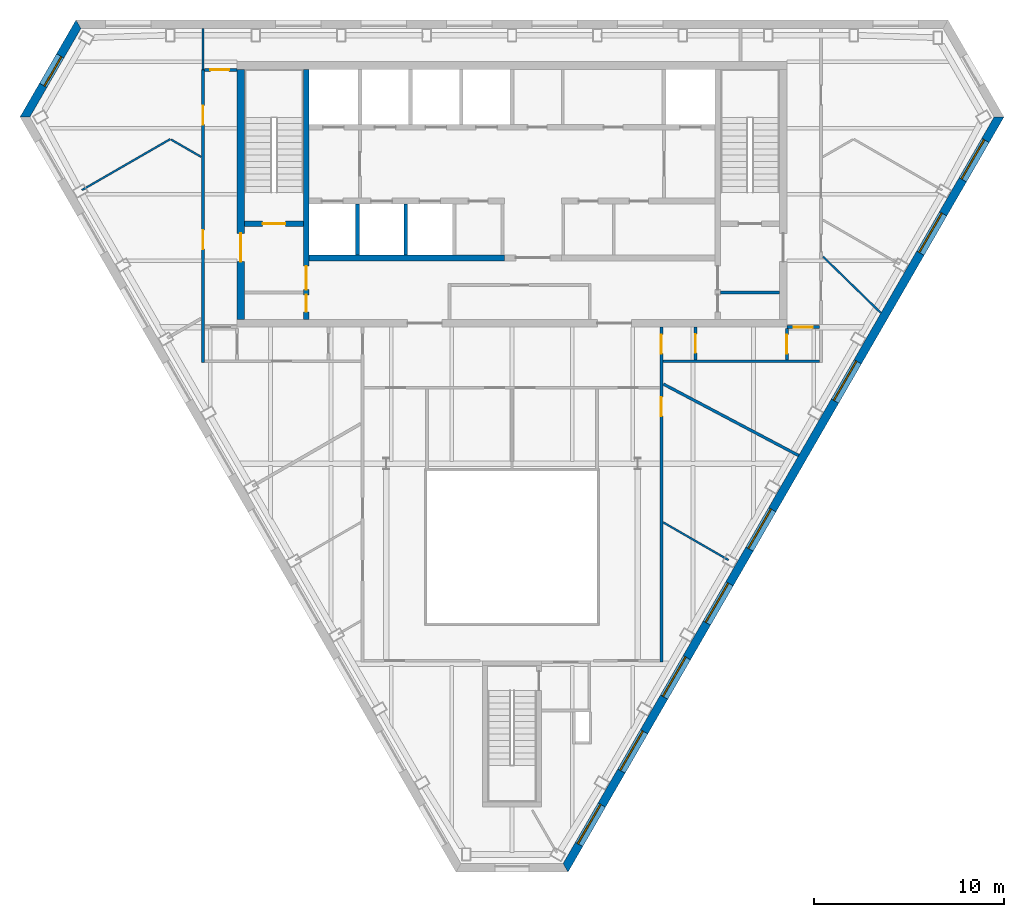
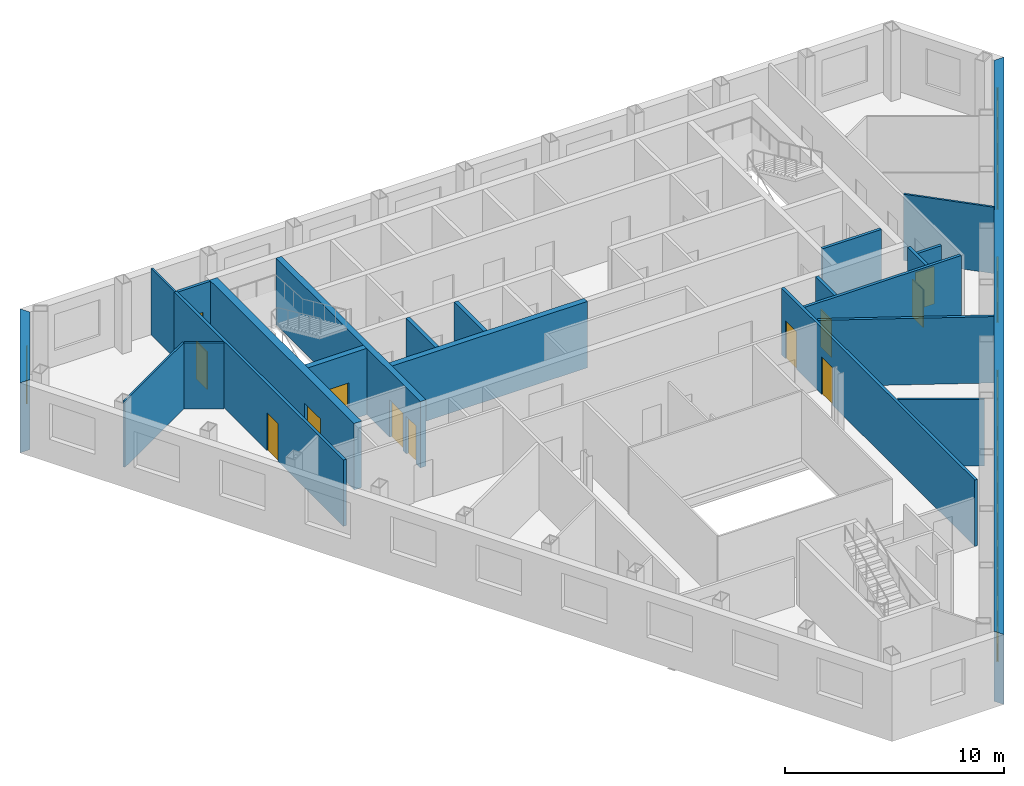
# One storey, part 5 of 10: 22 walls, 12 doors, 9 windows, 21 openings.
"""IFC4 building model written with IfcOpenShell, lengths in metres."""

import ifcopenshell
import ifcopenshell.guid

model = None  # the IFC model being written
_history = None  # IfcOwnerHistory: only IFC2X3 demands one
_inside = {}  # id of a spatial element -> (the spatial element, [elements in it])
_under = {}  # id of a project, library or spatial element -> (it, [spatial elements below it])
_declared = {}  # id of a project -> (the project, [libraries it declares])
_typed = {}  # id of a type object -> (the type object, [elements of that type])
_made_of = {}  # id of a material, layer set ... -> (it, [elements and type objects made of it])


def new_model(schema):
    """Start an empty IFC model of exactly this schema.

    Asked for "IFC4X3", IfcOpenShell would pick the latest addendum, in which some entities
    have other attributes; the version numbers below select the first issue.
    IFC2X3 requires an IfcOwnerHistory on every rooted entity: one is made here for all.
    """
    global model, _history
    if schema == "IFC4X3":
        model = ifcopenshell.file(schema_version=(4, 3, 0, 0))
    else:
        model = ifcopenshell.file(schema=schema)
    _inside.clear()
    _under.clear()
    _declared.clear()
    _typed.clear()
    _made_of.clear()
    _history = None
    if model.schema == "IFC2X3":
        org = make("IfcOrganization", Name="unknown")
        user = make(
            "IfcPersonAndOrganization",
            ThePerson=make("IfcPerson", FamilyName="unknown"),
            TheOrganization=org,
        )
        app = make(
            "IfcApplication",
            ApplicationDeveloper=org,
            Version="unknown",
            ApplicationFullName="unknown",
            ApplicationIdentifier="unknown",
        )
        _history = make(
            "IfcOwnerHistory",
            OwningUser=user,
            OwningApplication=app,
            ChangeAction="ADDED",
            CreationDate=0,
        )
    return model


def make(cls, **values):
    """One entity of the class cls with the attributes given. An attribute that is None is left unset."""
    return model.create_entity(
        cls, **{name: value for name, value in values.items() if value is not None}
    )


def rooted(cls, **values):
    """An entity with a GlobalId (a new one), such as an element, a storey or a relation."""
    return make(cls, GlobalId=ifcopenshell.guid.new(), OwnerHistory=_history, **values)


def si_unit(unit_type, name, prefix=None):
    """IfcSIUnit, for example si_unit("LENGTHUNIT", "METRE", prefix="MILLI")."""
    return make("IfcSIUnit", UnitType=unit_type, Prefix=prefix, Name=name)


def assignment(units):
    """IfcUnitAssignment: the units of a project."""
    return None if units is None else make("IfcUnitAssignment", Units=units)


def point(xyz):
    """IfcCartesianPoint."""
    return None if xyz is None else make("IfcCartesianPoint", Coordinates=xyz)


def direction(xyz):
    """IfcDirection."""
    return None if xyz is None else make("IfcDirection", DirectionRatios=xyz)


def frame(location, z_axis=None, x_axis=None):
    """IfcAxis2Placement3D, a coordinate frame: its origin and axes. An axis left out is left unset."""
    return make(
        "IfcAxis2Placement3D",
        Location=point(location),
        Axis=direction(z_axis),
        RefDirection=direction(x_axis),
    )


def frame_2d(location, x_axis=None):
    """IfcAxis2Placement2D, a coordinate frame in the plane: its origin and x axis."""
    return make(
        "IfcAxis2Placement2D", Location=point(location), RefDirection=direction(x_axis)
    )


def origin():
    """The frame at (0, 0, 0) with its axes left unset."""
    return frame((0.0, 0.0, 0.0))


def place(relative_to, where):
    """IfcLocalPlacement: puts the frame where relative to a parent placement (None: the world)."""
    return make(
        "IfcLocalPlacement", PlacementRelTo=relative_to, RelativePlacement=where
    )


def context(
    kind, dimensions, precision=None, world=None, true_north=None, identifier=None
):
    """IfcGeometricRepresentationContext, for example the 3D "Model" context."""
    return make(
        "IfcGeometricRepresentationContext",
        ContextIdentifier=identifier,
        ContextType=kind,
        CoordinateSpaceDimension=dimensions,
        Precision=precision,
        WorldCoordinateSystem=world,
        TrueNorth=true_north,
    )


def subcontext(parent, identifier, kind, view, scale=None):
    """IfcGeometricRepresentationSubContext, for example "Body" below "Model"."""
    return make(
        "IfcGeometricRepresentationSubContext",
        ContextIdentifier=identifier,
        ContextType=kind,
        ParentContext=parent,
        TargetScale=scale,
        TargetView=view,
    )


def project(units=None, contexts=None):
    """IfcProject with its units and contexts."""
    return rooted(
        "IfcProject",
        Name="project",
        RepresentationContexts=contexts,
        UnitsInContext=assignment(units),
    )


def spatial(cls, under=None, at=None, **own):
    """A site, building, storey or space (cls), placed at a placement, below another one or the project."""
    s = rooted(cls, ObjectPlacement=at, **own)
    if under is not None:
        _under.setdefault(under.id(), (under, []))[1].append(s)
    return s


def polyline(points):
    """IfcPolyline through the points."""
    return make("IfcPolyline", Points=[point(p) for p in points])


def profile(cls, at=None, kind="AREA", **sizes):
    """A parametric profile (cls). Its sizes go by their IFC names, for example OverallWidth=200.0."""
    return make(cls, ProfileType=kind, Position=at, **sizes)


def rectangle(**sizes):
    """IfcRectangleProfileDef."""
    return profile("IfcRectangleProfileDef", **sizes)


def outline(outer, holes=None, kind="AREA"):
    """IfcArbitraryClosedProfileDef: a profile drawn as a closed curve; with holes, ...WithVoids."""
    if holes is None:
        return make("IfcArbitraryClosedProfileDef", ProfileType=kind, OuterCurve=outer)
    return make(
        "IfcArbitraryProfileDefWithVoids",
        ProfileType=kind,
        OuterCurve=outer,
        InnerCurves=holes,
    )


def extrude(swept, where, along, depth):
    """IfcExtrudedAreaSolid: the profile swept, set in the frame where, extruded along a direction by depth."""
    return make(
        "IfcExtrudedAreaSolid",
        SweptArea=swept,
        Position=where,
        ExtrudedDirection=direction(along),
        Depth=depth,
    )


def shape(context_of_items, identifier, shape_type, items):
    """IfcShapeRepresentation: the items that make up one representation, for example the "Body"."""
    return make(
        "IfcShapeRepresentation",
        ContextOfItems=context_of_items,
        RepresentationIdentifier=identifier,
        RepresentationType=shape_type,
        Items=items,
    )


def material(Name=None, Category=None):
    """IfcMaterial."""
    return make("IfcMaterial", Name=Name, Category=Category)


def layer(
    of_material, thickness, ventilated=None, Name=None, Category=None, Priority=None
):
    """IfcMaterialLayer: one layer of a wall or slab, of a material (None: an air gap)."""
    return make(
        "IfcMaterialLayer",
        Material=of_material,
        LayerThickness=thickness,
        IsVentilated=ventilated,
        Name=Name,
        Category=Category,
        Priority=Priority,
    )


def layer_set(layers, Name=None):
    """IfcMaterialLayerSet."""
    return make("IfcMaterialLayerSet", MaterialLayers=layers, LayerSetName=Name)


def made_of(thing, what):
    """Note that an element or type object is made of a material, layer set ...; save() writes the relation."""
    if what is not None:
        _made_of.setdefault(what.id(), (what, []))[1].append(thing)
    return thing


def type_object(cls, material=None, **own):
    """A type object (cls), such as IfcWallType, which elements share."""
    return made_of(rooted(cls, **own), material)


def element(
    cls,
    number,
    at=None,
    inside=None,
    cuts=None,
    type_object=None,
    material=None,
    context=None,
    identifier="Body",
    shape_type=None,
    held_by="IfcProductDefinitionShape",
    body=None,
    shapes=None,
    **own,
):
    """One element of the class cls, such as IfcWall. Its Tag is "e" and its number.

    at: its placement. inside: the storey or other place that contains it. cuts: it is an
    opening in that element (IfcRelVoidsElement). A single representation is given by context,
    identifier, shape_type and body (its items); several are given by shapes. held_by: the class
    of the entity that holds the representations. save() writes the other relations.
    """
    e = rooted(cls, Tag="e%d" % number, ObjectPlacement=at, **own)
    if body is not None:
        shapes = [shape(context, identifier, shape_type, body)]
    if shapes is not None:
        e.Representation = make(held_by, Representations=shapes)
    if inside is not None:
        _inside.setdefault(inside.id(), (inside, []))[1].append(e)
    if cuts is not None:
        rooted(
            "IfcRelVoidsElement", RelatingBuildingElement=cuts, RelatedOpeningElement=e
        )
    if type_object is not None:
        _typed.setdefault(type_object.id(), (type_object, []))[1].append(e)
    return made_of(e, material)


def fill(opening, filler):
    """IfcRelFillsElement: the door or window that sits in an opening."""
    return rooted(
        "IfcRelFillsElement",
        RelatingOpeningElement=opening,
        RelatedBuildingElement=filler,
    )


def aggregate(whole, parts):
    """IfcRelAggregates: a whole, such as a stair, and the parts it consists of."""
    return rooted("IfcRelAggregates", RelatingObject=whole, RelatedObjects=parts)


def save(model, path):
    """Write the relations noted so far, then the file.

    IfcRelAggregates (storeys below a building ...), IfcRelContainedInSpatialStructure (elements
    in a storey), IfcRelDefinesByType, IfcRelAssociatesMaterial and IfcRelDeclares: one each for
    every whole, place, type object, material and project.
    """
    for whole, parts in _under.values():
        aggregate(whole, parts)
    for where, things in _inside.values():
        rooted(
            "IfcRelContainedInSpatialStructure",
            RelatedElements=things,
            RelatingStructure=where,
        )
    for kind, things in _typed.values():
        rooted("IfcRelDefinesByType", RelatedObjects=things, RelatingType=kind)
    for what, things in _made_of.values():
        rooted("IfcRelAssociatesMaterial", RelatedObjects=things, RelatingMaterial=what)
    for by, libraries in _declared.values():
        rooted("IfcRelDeclares", RelatingContext=by, RelatedDefinitions=libraries)
    model.write(path)


model = new_model("IFC4")

# Units and contexts
model_context = context("Model", 3, precision=1e-05, world=origin(), true_north=direction((0.0, 1.0)))
body_context = subcontext(model_context, "Body", "Model", "MODEL_VIEW")
ifc_project = project(units=[si_unit("LENGTHUNIT", "METRE"), si_unit("AREAUNIT", "SQUARE_METRE"), si_unit("VOLUMEUNIT", "CUBIC_METRE"), si_unit("PLANEANGLEUNIT", "RADIAN"), si_unit("MASSUNIT", "GRAM", prefix="KILO")], contexts=[model_context])

# Site, building, storey
site_placement = place(None, origin())
site = spatial("IfcSite", under=ifc_project, at=site_placement, CompositionType="ELEMENT")
building_placement = place(site_placement, origin())
building = spatial("IfcBuilding", under=site, at=building_placement, Name="Njiva Tower", CompositionType="ELEMENT")
storey_placement = place(building_placement, frame((0.0, 0.0, 261.0)))
storey = spatial("IfcBuildingStorey", under=building, at=storey_placement, Name="L59", CompositionType="ELEMENT", Elevation=261.0)

# Wall
ifc_material_1 = material(Name="Blockwork", Category="masonry")
ifc_layer_1 = layer(ifc_material_1, 0.15)
ifc_layer_set_1 = layer_set([ifc_layer_1], Name="Blockwork")
wall_type_1 = type_object("IfcWallType", Name="WT1 Compartment partition 150", PredefinedType="PARTITIONING", material=ifc_layer_set_1)
wall_1_placement = place(storey_placement, frame((11.0, 5.825, 0.0), z_axis=(0.0, 0.0, 1.0), x_axis=(1.0, 0.0, 0.0)))
element("IfcWall", 1, at=wall_1_placement, inside=storey, type_object=wall_type_1, Name="Room wall B", PredefinedType="PARTITIONING", context=body_context, shape_type="SweptSolid", body=[
    extrude(rectangle(XDim=3.1, YDim=0.15, at=frame_2d((1.55, 0.0))), origin(), (0.0, 0.0, 1.0), 3.7),
])

# Wall, openings, doors
ifc_material_2 = material(Name="Concrete C40/50", Category="concrete")
ifc_layer_2 = layer(ifc_material_2, 0.3)
ifc_layer_set_2 = layer_set([ifc_layer_2], Name="Concrete C40/50")
wall_type_2 = type_object("IfcWallType", Name="WT10 Stair enclosure wall 300", PredefinedType="SHEAR", material=ifc_layer_set_2)
wall_2_placement = place(storey_placement, frame((-10.85, 4.4, 0.0), z_axis=(0.0, 0.0, 1.0), x_axis=(0.0, 1.0, 0.0)))
wall_2 = element("IfcWall", 2, at=wall_2_placement, inside=storey, type_object=wall_type_2, Name="Stair wall west inner", PredefinedType="SHEAR", context=body_context, shape_type="SweptSolid", body=[
    extrude(rectangle(XDim=13.2, YDim=0.3, at=frame_2d((6.6, 0.0))), origin(), (0.0, 0.0, 1.0), 3.7),
])
opening_1_placement = place(wall_2_placement, frame((1.575, 0.0, 0.0)))
opening_1 = element("IfcOpeningElement", 3, at=opening_1_placement, cuts=wall_2, Name="Opening S19-D916", PredefinedType="OPENING", context=body_context, shape_type="SweptSolid", body=[
    extrude(rectangle(XDim=1.25, YDim=2.1, at=frame_2d((0.625, 1.05))), frame((0.0, 0.16, 0.0), z_axis=(0.0, -1.0, 0.0), x_axis=(1.0, 0.0, 0.0)), (0.0, 0.0, 1.0), 0.32),
])
opening_2_placement = place(wall_2_placement, frame((0.4, 0.0, 0.0)))
opening_2 = element("IfcOpeningElement", 4, at=opening_2_placement, cuts=wall_2, Name="Opening S19-D918", PredefinedType="OPENING", context=body_context, shape_type="SweptSolid", body=[
    extrude(rectangle(XDim=0.9, YDim=2.1, at=frame_2d((0.45, 1.05))), frame((0.0, 0.16, 0.0), z_axis=(0.0, -1.0, 0.0), x_axis=(1.0, 0.0, 0.0)), (0.0, 0.0, 1.0), 0.32),
])
ifc_material_3 = material(Name="Steel door, painted", Category="steel")
door_type_1 = type_object("IfcDoorType", Name="D13 Steel door 900x2100", OperationType="SINGLE_SWING_LEFT", PredefinedType="DOOR", material=ifc_material_3)
door_1_placement = place(opening_2_placement, origin())
door_1 = element("IfcDoor", 5, at=door_1_placement, inside=storey, type_object=door_type_1, Name="Reading room door", OperationType="SINGLE_SWING_RIGHT", OverallHeight=2.1, OverallWidth=0.9, PredefinedType="DOOR", context=body_context, shape_type="SweptSolid", body=[
    extrude(rectangle(XDim=0.9, YDim=2.1, at=frame_2d((0.45, 1.05))), frame((0.0, 0.025, 0.0), z_axis=(0.0, -1.0, 0.0), x_axis=(1.0, 0.0, 0.0)), (0.0, 0.0, 1.0), 0.05),
])
fill(opening_2, door_1)
ifc_material_4 = material(Name="Glazed steel fire door", Category="steel")
door_type_2 = type_object("IfcDoorType", Name="D8 Vestibule corridor door 1250x2100 glazed", OperationType="SINGLE_SWING_LEFT", PredefinedType="DOOR", material=ifc_material_4)
door_2_placement = place(opening_1_placement, origin())
door_2 = element("IfcDoor", 6, at=door_2_placement, inside=storey, type_object=door_type_2, Name="Stair vestibule corridor door", OperationType="SINGLE_SWING_LEFT", OverallHeight=2.1, OverallWidth=1.25, PredefinedType="DOOR", context=body_context, shape_type="SweptSolid", body=[
    extrude(rectangle(XDim=1.25, YDim=2.1, at=frame_2d((0.625, 1.05))), frame((0.0, 0.025, 0.0), z_axis=(0.0, -1.0, 0.0), x_axis=(1.0, 0.0, 0.0)), (0.0, 0.0, 1.0), 0.05),
])
fill(opening_1, door_2)

# Wall, opening, door
wall_3_placement = place(storey_placement, frame((-14.1, 9.45, 0.0), z_axis=(0.0, 0.0, 1.0), x_axis=(1.0, 0.0, 0.0)))
wall_3 = element("IfcWall", 7, at=wall_3_placement, inside=storey, type_object=wall_type_2, Name="Stair A south wall", PredefinedType="SHEAR", context=body_context, shape_type="SweptSolid", body=[
    extrude(rectangle(XDim=3.1, YDim=0.3, at=frame_2d((1.55, 0.0))), origin(), (0.0, 0.0, 1.0), 3.7),
])
opening_3_placement = place(wall_3_placement, frame((0.95, 0.0, 0.0)))
opening_3 = element("IfcOpeningElement", 8, at=opening_3_placement, cuts=wall_3, Name="Opening S19-D915", PredefinedType="OPENING", context=body_context, shape_type="SweptSolid", body=[
    extrude(rectangle(XDim=1.2, YDim=2.1, at=frame_2d((0.6, 1.05))), frame((0.0, 0.16, 0.0), z_axis=(0.0, -1.0, 0.0), x_axis=(1.0, 0.0, 0.0)), (0.0, 0.0, 1.0), 0.32),
])
door_type_3 = type_object("IfcDoorType", Name="D7 Stair vestibule door 1200x2100 glazed", OperationType="SINGLE_SWING_LEFT", PredefinedType="DOOR", material=ifc_material_4)
door_3_placement = place(opening_3_placement, origin())
door_3 = element("IfcDoor", 9, at=door_3_placement, inside=storey, type_object=door_type_3, Name="Stair A door", OperationType="SINGLE_SWING_LEFT", OverallHeight=2.1, OverallWidth=1.2, PredefinedType="DOOR", context=body_context, shape_type="SweptSolid", body=[
    extrude(rectangle(XDim=1.2, YDim=2.1, at=frame_2d((0.6, 1.05))), frame((0.0, 0.025, 0.0), z_axis=(0.0, -1.0, 0.0), x_axis=(1.0, 0.0, 0.0)), (0.0, 0.0, 1.0), 0.05),
])
fill(opening_3, door_3)

ifc_material_5 = material(Name="Concrete C60/75", Category="concrete")
ifc_layer_3 = layer(ifc_material_5, 0.4)
ifc_layer_set_3 = layer_set([ifc_layer_3], Name="Concrete C60/75")
wall_type_3 = type_object("IfcWallType", Name="WT11 Core wall 400", PredefinedType="SHEAR", material=ifc_layer_set_3)
wall_4_placement = place(storey_placement, frame((-14.3, 4.4, 0.0), z_axis=(0.0, 0.0, 1.0), x_axis=(0.0, 1.0, 0.0)))
wall_4 = element("IfcWall", 10, at=wall_4_placement, inside=storey, type_object=wall_type_3, Name="Core wall west", PredefinedType="SHEAR", context=body_context, shape_type="SweptSolid", body=[
    extrude(rectangle(XDim=13.2, YDim=0.4, at=frame_2d((6.6, 0.0))), origin(), (0.0, 0.0, 1.0), 3.7),
])
opening_4_placement = place(wall_4_placement, frame((3.05, 0.0, 0.0)))
opening_4 = element("IfcOpeningElement", 11, at=opening_4_placement, cuts=wall_4, Name="Opening S19-D917", PredefinedType="OPENING", context=body_context, shape_type="SweptSolid", body=[
    extrude(rectangle(XDim=1.5, YDim=2.1, at=frame_2d((0.75, 1.05))), frame((0.0, 0.21, 0.0), z_axis=(0.0, -1.0, 0.0), x_axis=(1.0, 0.0, 0.0)), (0.0, 0.0, 1.0), 0.42),
])
door_type_4 = type_object("IfcDoorType", Name="D10 Exit door double 1500x2100 glazed", OperationType="DOUBLE_DOOR_SINGLE_SWING", PredefinedType="DOOR", material=ifc_material_4)
door_4_placement = place(opening_4_placement, origin())
door_4 = element("IfcDoor", 12, at=door_4_placement, inside=storey, type_object=door_type_4, Name="Stair A corridor door", OperationType="DOUBLE_DOOR_SINGLE_SWING", OverallHeight=2.1, OverallWidth=1.5, PredefinedType="DOOR", context=body_context, shape_type="SweptSolid", body=[
    extrude(rectangle(XDim=1.5, YDim=2.1, at=frame_2d((0.75, 1.05))), frame((0.0, 0.025, 0.0), z_axis=(0.0, -1.0, 0.0), x_axis=(1.0, 0.0, 0.0)), (0.0, 0.0, 1.0), 0.05),
])
fill(opening_4, door_4)

# Walls
ifc_material_6 = material(Name="Gypsum board on steel studs", Category="gypsum")
ifc_layer_4 = layer(ifc_material_6, 0.1)
ifc_layer_set_4 = layer_set([ifc_layer_4], Name="Gypsum board on steel studs")
wall_type_4 = type_object("IfcWallType", Name="WT20 Gypsum partition 100", PredefinedType="PARTITIONING", material=ifc_layer_set_4)
wall_5_placement = place(storey_placement, frame((-22.687, 11.23, 0.0), z_axis=(0.0, 0.0, 1.0), x_axis=(0.866188679886, 0.499717090799, 0.0)))
element("IfcWall", 13, at=wall_5_placement, inside=storey, type_object=wall_type_4, Name="Partition S19-P001", PredefinedType="PARTITIONING", context=body_context, shape_type="SweptSolid", body=[
    extrude(rectangle(XDim=5.381, YDim=0.1, at=frame_2d((2.6905, 0.0))), origin(), (0.0, 0.0, 1.0), 3.7),
])
wall_6_placement = place(storey_placement, frame((-17.988, 13.898, 0.0), z_axis=(0.0, 0.0, 1.0), x_axis=(0.866221908719, -0.499659488908, 0.0)))
element("IfcWall", 14, at=wall_6_placement, inside=storey, type_object=wall_type_4, Name="Partition S19-P003", PredefinedType="PARTITIONING", context=body_context, shape_type="SweptSolid", body=[
    extrude(rectangle(XDim=1.8332, YDim=0.1, at=frame_2d((0.9166, 0.0))), origin(), (0.0, 0.0, 1.0), 3.7),
])
wall_7_placement = place(storey_placement, frame((-16.3, 17.584, 0.0), z_axis=(0.0, 0.0, 1.0), x_axis=(0.0, 1.0, 0.0)))
element("IfcWall", 15, at=wall_7_placement, inside=storey, type_object=wall_type_4, Name="Partition S19-P005", PredefinedType="PARTITIONING", context=body_context, shape_type="SweptSolid", body=[
    extrude(rectangle(XDim=2.166, YDim=0.1, at=frame_2d((1.083, 0.0))), origin(), (0.0, 0.0, 1.0), 3.7),
])
wall_8_placement = place(storey_placement, frame((7.98, -6.3, 0.0), z_axis=(0.0, 0.0, 1.0), x_axis=(0.866143665252, -0.499795109164, 0.0)))
element("IfcWall", 16, at=wall_8_placement, inside=storey, type_object=wall_type_4, Name="Partition S19-P024", PredefinedType="PARTITIONING", context=body_context, shape_type="SweptSolid", body=[
    extrude(rectangle(XDim=3.9716, YDim=0.1, at=frame_2d((1.9858, 0.0))), origin(), (0.0, 0.0, 1.0), 3.7),
])
wall_9_placement = place(storey_placement, frame((16.41, 7.717, 0.0), z_axis=(0.0, 0.0, 1.0), x_axis=(0.716434135664, -0.697654734991, 0.0)))
element("IfcWall", 17, at=wall_9_placement, inside=storey, type_object=wall_type_4, Name="Partition S19-P033", PredefinedType="PARTITIONING", context=body_context, shape_type="SweptSolid", body=[
    extrude(rectangle(XDim=4.26, YDim=0.1, at=frame_2d((2.13, 0.0))), origin(), (0.0, 0.0, 1.0), 3.7),
])

# Wall, openings, doors
ifc_layer_5 = layer(ifc_material_6, 0.15)
ifc_layer_set_5 = layer_set([ifc_layer_5], Name="Gypsum board on steel studs")
wall_type_5 = type_object("IfcWallType", Name="WT21 Compartment wall 150", PredefinedType="PARTITIONING", material=ifc_layer_set_5)
wall_10_placement = place(storey_placement, frame((-16.3, 2.125, 0.0), z_axis=(0.0, 0.0, 1.0), x_axis=(0.0, 1.0, 0.0)))
wall_10 = element("IfcWall", 18, at=wall_10_placement, inside=storey, type_object=wall_type_5, Name="Partition S19-P004", PredefinedType="PARTITIONING", context=body_context, shape_type="SweptSolid", body=[
    extrude(rectangle(XDim=15.459, YDim=0.15, at=frame_2d((7.7295, 0.0))), origin(), (0.0, 0.0, 1.0), 3.7),
])
opening_5_placement = place(wall_10_placement, frame((5.99, 0.0, 0.0)))
opening_5 = element("IfcOpeningElement", 19, at=opening_5_placement, cuts=wall_10, Name="Opening S19-D001", PredefinedType="OPENING", context=body_context, shape_type="SweptSolid", body=[
    extrude(rectangle(XDim=1.0, YDim=2.1, at=frame_2d((0.5, 1.05))), frame((0.0, 0.085, 0.0), z_axis=(0.0, -1.0, 0.0), x_axis=(1.0, 0.0, 0.0)), (0.0, 0.0, 1.0), 0.17),
])
opening_6_placement = place(wall_10_placement, frame((12.554, 0.0, 0.0)))
opening_6 = element("IfcOpeningElement", 20, at=opening_6_placement, cuts=wall_10, Name="Opening S19-D002", PredefinedType="OPENING", context=body_context, shape_type="SweptSolid", body=[
    extrude(rectangle(XDim=1.0, YDim=2.1, at=frame_2d((0.5, 1.05))), frame((0.0, 0.085, 0.0), z_axis=(0.0, -1.0, 0.0), x_axis=(1.0, 0.0, 0.0)), (0.0, 0.0, 1.0), 0.17),
])
ifc_material_7 = material(Name="Steel fire door set", Category="steel")
door_type_5 = type_object("IfcDoorType", Name="D37 Fire door 1000x2100", OperationType="SINGLE_SWING_LEFT", PredefinedType="DOOR", material=ifc_material_7)
door_5_placement = place(opening_5_placement, origin())
door_5 = element("IfcDoor", 21, at=door_5_placement, inside=storey, type_object=door_type_5, Name="Door S19-D001", OperationType="SINGLE_SWING_RIGHT", OverallHeight=2.1, OverallWidth=1.0, PredefinedType="DOOR", context=body_context, shape_type="SweptSolid", body=[
    extrude(rectangle(XDim=1.0, YDim=2.1, at=frame_2d((0.5, 1.05))), frame((0.0, 0.025, 0.0), z_axis=(0.0, -1.0, 0.0), x_axis=(1.0, 0.0, 0.0)), (0.0, 0.0, 1.0), 0.05),
])
fill(opening_5, door_5)
door_6_placement = place(opening_6_placement, origin())
door_6 = element("IfcDoor", 22, at=door_6_placement, inside=storey, type_object=door_type_5, Name="Door S19-D002", OperationType="SINGLE_SWING_LEFT", OverallHeight=2.1, OverallWidth=1.0, PredefinedType="DOOR", context=body_context, shape_type="SweptSolid", body=[
    extrude(rectangle(XDim=1.0, YDim=2.1, at=frame_2d((0.5, 1.05))), frame((0.0, 0.025, 0.0), z_axis=(0.0, -1.0, 0.0), x_axis=(1.0, 0.0, 0.0)), (0.0, 0.0, 1.0), 0.05),
])
fill(opening_6, door_6)

# Wall, opening, door
wall_11_placement = place(storey_placement, frame((-16.225, 17.572, 0.0), z_axis=(0.0, 0.0, 1.0), x_axis=(1.0, 0.0, 0.0)))
wall_11 = element("IfcWall", 23, at=wall_11_placement, inside=storey, type_object=wall_type_5, Name="Partition S19-P008", PredefinedType="PARTITIONING", context=body_context, shape_type="SweptSolid", body=[
    extrude(rectangle(XDim=1.725, YDim=0.15, at=frame_2d((0.8625, 0.0))), origin(), (0.0, 0.0, 1.0), 3.7),
])
opening_7_placement = place(wall_11_placement, frame((0.308, 0.0, 0.0)))
opening_7 = element("IfcOpeningElement", 24, at=opening_7_placement, cuts=wall_11, Name="Opening S19-D005", PredefinedType="OPENING", context=body_context, shape_type="SweptSolid", body=[
    extrude(rectangle(XDim=1.0, YDim=2.1, at=frame_2d((0.5, 1.05))), frame((0.0, 0.085, 0.0), z_axis=(0.0, -1.0, 0.0), x_axis=(1.0, 0.0, 0.0)), (0.0, 0.0, 1.0), 0.17),
])
door_7_placement = place(opening_7_placement, origin())
door_7 = element("IfcDoor", 25, at=door_7_placement, inside=storey, type_object=door_type_5, Name="Door S19-D005", OperationType="SINGLE_SWING_RIGHT", OverallHeight=2.1, OverallWidth=1.0, PredefinedType="DOOR", context=body_context, shape_type="SweptSolid", body=[
    extrude(rectangle(XDim=1.0, YDim=2.1, at=frame_2d((0.5, 1.05))), frame((0.0, 0.025, 0.0), z_axis=(0.0, -1.0, 0.0), x_axis=(1.0, 0.0, 0.0)), (0.0, 0.0, 1.0), 0.05),
])
fill(opening_7, door_7)

# Wall, openings, doors
wall_12_placement = place(storey_placement, frame((7.88, -13.675, 0.0), z_axis=(0.0, 0.0, 1.0), x_axis=(0.0, 1.0, 0.0)))
wall_12 = element("IfcWall", 26, at=wall_12_placement, inside=storey, type_object=wall_type_5, Name="Partition S19-P022", PredefinedType="PARTITIONING", context=body_context, shape_type="SweptSolid", body=[
    extrude(rectangle(XDim=17.675, YDim=0.15, at=frame_2d((8.8375, 0.0))), origin(), (0.0, 0.0, 1.0), 3.7),
])
opening_8_placement = place(wall_12_placement, frame((12.984, 0.0, 0.0)))
opening_8 = element("IfcOpeningElement", 27, at=opening_8_placement, cuts=wall_12, Name="Opening S19-D017", PredefinedType="OPENING", context=body_context, shape_type="SweptSolid", body=[
    extrude(rectangle(XDim=1.0, YDim=2.1, at=frame_2d((0.5, 1.05))), frame((0.0, 0.085, 0.0), z_axis=(0.0, -1.0, 0.0), x_axis=(1.0, 0.0, 0.0)), (0.0, 0.0, 1.0), 0.17),
])
opening_9_placement = place(wall_12_placement, frame((16.275, 0.0, 0.0)))
opening_9 = element("IfcOpeningElement", 28, at=opening_9_placement, cuts=wall_12, Name="Opening S19-D018", PredefinedType="OPENING", context=body_context, shape_type="SweptSolid", body=[
    extrude(rectangle(XDim=1.0, YDim=2.1, at=frame_2d((0.5, 1.05))), frame((0.0, 0.085, 0.0), z_axis=(0.0, -1.0, 0.0), x_axis=(1.0, 0.0, 0.0)), (0.0, 0.0, 1.0), 0.17),
])
door_8_placement = place(opening_8_placement, origin())
door_8 = element("IfcDoor", 29, at=door_8_placement, inside=storey, type_object=door_type_5, Name="Door S19-D017", OperationType="SINGLE_SWING_RIGHT", OverallHeight=2.1, OverallWidth=1.0, PredefinedType="DOOR", context=body_context, shape_type="SweptSolid", body=[
    extrude(rectangle(XDim=1.0, YDim=2.1, at=frame_2d((0.5, 1.05))), frame((0.0, 0.025, 0.0), z_axis=(0.0, -1.0, 0.0), x_axis=(1.0, 0.0, 0.0)), (0.0, 0.0, 1.0), 0.05),
])
fill(opening_8, door_8)
door_9_placement = place(opening_9_placement, origin())
door_9 = element("IfcDoor", 30, at=door_9_placement, inside=storey, type_object=door_type_5, Name="Door S19-D018", OperationType="SINGLE_SWING_RIGHT", OverallHeight=2.1, OverallWidth=1.0, PredefinedType="DOOR", context=body_context, shape_type="SweptSolid", body=[
    extrude(rectangle(XDim=1.0, YDim=2.1, at=frame_2d((0.5, 1.05))), frame((0.0, 0.025, 0.0), z_axis=(0.0, -1.0, 0.0), x_axis=(1.0, 0.0, 0.0)), (0.0, 0.0, 1.0), 0.05),
])
fill(opening_9, door_9)

# Walls
wall_13_placement = place(storey_placement, frame((7.955, 2.2, 0.0), z_axis=(0.0, 0.0, 1.0), x_axis=(1.0, 0.0, 0.0)))
element("IfcWall", 31, at=wall_13_placement, inside=storey, type_object=wall_type_5, Name="Partition S19-P023", PredefinedType="PARTITIONING", context=body_context, shape_type="SweptSolid", body=[
    extrude(rectangle(XDim=8.27, YDim=0.15, at=frame_2d((4.135, 0.0))), origin(), (0.0, 0.0, 1.0), 3.7),
])
wall_14_placement = place(storey_placement, frame((7.99, 0.994, 0.0), z_axis=(0.0, 0.0, 1.0), x_axis=(0.88420981039, -0.467089939102, 0.0)))
element("IfcWall", 32, at=wall_14_placement, inside=storey, type_object=wall_type_5, Name="Partition S19-P025", PredefinedType="PARTITIONING", context=body_context, shape_type="SweptSolid", body=[
    extrude(rectangle(XDim=8.0648, YDim=0.15, at=frame_2d((4.0324, 0.0))), origin(), (0.0, 0.0, 1.0), 3.7),
])

# Wall, opening, door
wall_15_placement = place(storey_placement, frame((9.68, 2.275, 0.0), z_axis=(0.0, 0.0, 1.0), x_axis=(0.0, 1.0, 0.0)))
wall_15 = element("IfcWall", 33, at=wall_15_placement, inside=storey, type_object=wall_type_5, Name="Partition S19-P026", PredefinedType="PARTITIONING", context=body_context, shape_type="SweptSolid", body=[
    extrude(rectangle(XDim=1.725, YDim=0.15, at=frame_2d((0.8625, 0.0))), origin(), (0.0, 0.0, 1.0), 3.7),
])
opening_10_placement = place(wall_15_placement, frame((0.362, 0.0, 0.0)))
opening_10 = element("IfcOpeningElement", 34, at=opening_10_placement, cuts=wall_15, Name="Opening S19-D019", PredefinedType="OPENING", context=body_context, shape_type="SweptSolid", body=[
    extrude(rectangle(XDim=1.0, YDim=2.1, at=frame_2d((0.5, 1.05))), frame((0.0, 0.085, 0.0), z_axis=(0.0, -1.0, 0.0), x_axis=(1.0, 0.0, 0.0)), (0.0, 0.0, 1.0), 0.17),
])
door_10_placement = place(opening_10_placement, origin())
door_10 = element("IfcDoor", 35, at=door_10_placement, inside=storey, type_object=door_type_5, Name="Door S19-D019", OperationType="SINGLE_SWING_LEFT", OverallHeight=2.1, OverallWidth=1.0, PredefinedType="DOOR", context=body_context, shape_type="SweptSolid", body=[
    extrude(rectangle(XDim=1.0, YDim=2.1, at=frame_2d((0.5, 1.05))), frame((0.0, 0.025, 0.0), z_axis=(0.0, -1.0, 0.0), x_axis=(1.0, 0.0, 0.0)), (0.0, 0.0, 1.0), 0.05),
])
fill(opening_10, door_10)

wall_16_placement = place(storey_placement, frame((14.5, 2.275, 0.0), z_axis=(0.0, 0.0, 1.0), x_axis=(0.0, 1.0, 0.0)))
wall_16 = element("IfcWall", 36, at=wall_16_placement, inside=storey, type_object=wall_type_5, Name="Partition S19-P028", PredefinedType="PARTITIONING", context=body_context, shape_type="SweptSolid", body=[
    extrude(rectangle(XDim=1.65, YDim=0.15, at=frame_2d((0.825, 0.0))), origin(), (0.0, 0.0, 1.0), 3.7),
])
opening_11_placement = place(wall_16_placement, frame((0.325, 0.0, 0.0)))
opening_11 = element("IfcOpeningElement", 37, at=opening_11_placement, cuts=wall_16, Name="Opening S19-D020", PredefinedType="OPENING", context=body_context, shape_type="SweptSolid", body=[
    extrude(rectangle(XDim=1.0, YDim=2.1, at=frame_2d((0.5, 1.05))), frame((0.0, 0.085, 0.0), z_axis=(0.0, -1.0, 0.0), x_axis=(1.0, 0.0, 0.0)), (0.0, 0.0, 1.0), 0.17),
])
door_11_placement = place(opening_11_placement, origin())
door_11 = element("IfcDoor", 38, at=door_11_placement, inside=storey, type_object=door_type_5, Name="Door S19-D020", OperationType="SINGLE_SWING_LEFT", OverallHeight=2.1, OverallWidth=1.0, PredefinedType="DOOR", context=body_context, shape_type="SweptSolid", body=[
    extrude(rectangle(XDim=1.0, YDim=2.1, at=frame_2d((0.5, 1.05))), frame((0.0, 0.025, 0.0), z_axis=(0.0, -1.0, 0.0), x_axis=(1.0, 0.0, 0.0)), (0.0, 0.0, 1.0), 0.05),
])
fill(opening_11, door_11)

wall_17_placement = place(storey_placement, frame((14.5, 4.0, 0.0), z_axis=(0.0, 0.0, 1.0), x_axis=(1.0, 0.0, 0.0)))
wall_17 = element("IfcWall", 39, at=wall_17_placement, inside=storey, type_object=wall_type_5, Name="Partition S19-P029", PredefinedType="PARTITIONING", context=body_context, shape_type="SweptSolid", body=[
    extrude(rectangle(XDim=1.725, YDim=0.15, at=frame_2d((0.8625, 0.0))), origin(), (0.0, 0.0, 1.0), 3.16),
])
opening_12_placement = place(wall_17_placement, frame((0.363, 0.0, 0.0)))
opening_12 = element("IfcOpeningElement", 40, at=opening_12_placement, cuts=wall_17, Name="Opening S19-D021", PredefinedType="OPENING", context=body_context, shape_type="SweptSolid", body=[
    extrude(rectangle(XDim=1.0, YDim=2.1, at=frame_2d((0.5, 1.05))), frame((0.0, 0.085, 0.0), z_axis=(0.0, -1.0, 0.0), x_axis=(1.0, 0.0, 0.0)), (0.0, 0.0, 1.0), 0.17),
])
door_12_placement = place(opening_12_placement, origin())
door_12 = element("IfcDoor", 41, at=door_12_placement, inside=storey, type_object=door_type_5, Name="Door S19-D021", OperationType="SINGLE_SWING_LEFT", OverallHeight=2.1, OverallWidth=1.0, PredefinedType="DOOR", context=body_context, shape_type="SweptSolid", body=[
    extrude(rectangle(XDim=1.0, YDim=2.1, at=frame_2d((0.5, 1.05))), frame((0.0, 0.025, 0.0), z_axis=(0.0, -1.0, 0.0), x_axis=(1.0, 0.0, 0.0)), (0.0, 0.0, 1.0), 0.05),
])
fill(opening_12, door_12)

# Walls
ifc_layer_6 = layer(ifc_material_2, 0.2)
ifc_layer_set_6 = layer_set([ifc_layer_6], Name="Concrete C40/50")
wall_type_6 = type_object("IfcWallType", Name="WT6 Lift shaft wall 200", PredefinedType="SHEAR", material=ifc_layer_set_6)
for number, where, z_axis, x_axis, name in (
    (42, (-8.15, 7.8, 0.0), (0.0, 0.0, 1.0), (0.0, 1.0, 0.0), "Shaft wall CS1"),
    (43, (-5.6, 7.8, 0.0), (0.0, 0.0, 1.0), (0.0, 1.0, 0.0), "Shaft wall CS2"),
):
    element("IfcWall", number, at=place(storey_placement, frame(where, z_axis=z_axis, x_axis=x_axis)), inside=storey, type_object=wall_type_6, Name=name, PredefinedType="SHEAR", context=body_context, shape_type="SweptSolid", body=[
        extrude(rectangle(XDim=2.7, YDim=0.2, at=frame_2d((1.35, 0.0))), origin(), (0.0, 0.0, 1.0), 3.7),
    ])
ifc_layer_7 = layer(ifc_material_2, 0.3)
ifc_layer_set_7 = layer_set([ifc_layer_7], Name="Concrete C40/50")
wall_type_7 = type_object("IfcWallType", Name="WT7 Lift shaft wall 300", PredefinedType="SHEAR", material=ifc_layer_set_7)
wall_18_placement = place(storey_placement, frame((-10.7, 7.65, 0.0), z_axis=(0.0, 0.0, 1.0), x_axis=(1.0, 0.0, 0.0)))
element("IfcWall", 44, at=wall_18_placement, inside=storey, type_object=wall_type_7, Name="Shaft wall south row back W", PredefinedType="SHEAR", context=body_context, shape_type="SweptSolid", body=[
    extrude(rectangle(XDim=10.3, YDim=0.3, at=frame_2d((5.15, 0.0))), origin(), (0.0, 0.0, 1.0), 3.7),
])

# Wall, openings, windows
ifc_material_8 = material(Name="Brick masonry", Category="masonry")
ifc_layer_8 = layer(ifc_material_8, 0.45)
ifc_layer_set_8 = layer_set([ifc_layer_8], Name="Brick masonry")
wall_type_8 = type_object("IfcWallType", Name="WT90 Brick pier and spandrel wall 450", PredefinedType="SOLIDWALL", material=ifc_layer_set_8)
wall_19_placement = place(storey_placement, frame((2.8251, -24.5217, -0.4), z_axis=(0.0, 0.0, 1.0), x_axis=(0.500000141277, 0.866025322218, 0.0)))
wall_19 = element("IfcWall", 45, at=wall_19_placement, inside=storey, type_object=wall_type_8, Name="Facade wall SE", PredefinedType="SOLIDWALL", context=body_context, shape_type="SweptSolid", body=[
    extrude(outline(polyline([(-0.1299, -0.225), (45.8601, -0.225), (45.6003, 0.225), (0.1299, 0.225), (-0.1299, -0.225)])), origin(), (0.0, 0.0, 1.0), 3.9),
])
opening_13_placement = place(wall_19_placement, frame((1.4237, 0.0, 1.3)))
opening_13 = element("IfcOpeningElement", 46, at=opening_13_placement, cuts=wall_19, Name="Opening S19-W20", PredefinedType="OPENING", context=body_context, shape_type="SweptSolid", body=[
    extrude(rectangle(XDim=2.4, YDim=2.0, at=frame_2d((1.2, 1.0))), frame((0.0, 0.235, 0.0), z_axis=(0.0, -1.0, 0.0), x_axis=(1.0, 0.0, 0.0)), (0.0, 0.0, 1.0), 0.47),
])
opening_14_placement = place(wall_19_placement, frame((5.8919, 0.0, 1.3)))
opening_14 = element("IfcOpeningElement", 47, at=opening_14_placement, cuts=wall_19, Name="Opening S19-W21", PredefinedType="OPENING", context=body_context, shape_type="SweptSolid", body=[
    extrude(rectangle(XDim=2.4, YDim=2.0, at=frame_2d((1.2, 1.0))), frame((0.0, 0.235, 0.0), z_axis=(0.0, -1.0, 0.0), x_axis=(1.0, 0.0, 0.0)), (0.0, 0.0, 1.0), 0.47),
])
opening_15_placement = place(wall_19_placement, frame((10.3985, 0.0, 1.3)))
opening_15 = element("IfcOpeningElement", 48, at=opening_15_placement, cuts=wall_19, Name="Opening S19-W22", PredefinedType="OPENING", context=body_context, shape_type="SweptSolid", body=[
    extrude(rectangle(XDim=2.4, YDim=2.0, at=frame_2d((1.2, 1.0))), frame((0.0, 0.235, 0.0), z_axis=(0.0, -1.0, 0.0), x_axis=(1.0, 0.0, 0.0)), (0.0, 0.0, 1.0), 0.47),
])
opening_16_placement = place(wall_19_placement, frame((14.9052, 0.0, 1.3)))
opening_16 = element("IfcOpeningElement", 49, at=opening_16_placement, cuts=wall_19, Name="Opening S19-W23", PredefinedType="OPENING", context=body_context, shape_type="SweptSolid", body=[
    extrude(rectangle(XDim=2.4, YDim=2.0, at=frame_2d((1.2, 1.0))), frame((0.0, 0.235, 0.0), z_axis=(0.0, -1.0, 0.0), x_axis=(1.0, 0.0, 0.0)), (0.0, 0.0, 1.0), 0.47),
])
opening_17_placement = place(wall_19_placement, frame((19.4118, 0.0, 1.3)))
opening_17 = element("IfcOpeningElement", 50, at=opening_17_placement, cuts=wall_19, Name="Opening S19-W24", PredefinedType="OPENING", context=body_context, shape_type="SweptSolid", body=[
    extrude(rectangle(XDim=2.4, YDim=2.0, at=frame_2d((1.2, 1.0))), frame((0.0, 0.235, 0.0), z_axis=(0.0, -1.0, 0.0), x_axis=(1.0, 0.0, 0.0)), (0.0, 0.0, 1.0), 0.47),
])
opening_18_placement = place(wall_19_placement, frame((28.425, 0.0, 1.3)))
opening_18 = element("IfcOpeningElement", 51, at=opening_18_placement, cuts=wall_19, Name="Opening S19-W25", PredefinedType="OPENING", context=body_context, shape_type="SweptSolid", body=[
    extrude(rectangle(XDim=2.4, YDim=2.0, at=frame_2d((1.2, 1.0))), frame((0.0, 0.235, 0.0), z_axis=(0.0, -1.0, 0.0), x_axis=(1.0, 0.0, 0.0)), (0.0, 0.0, 1.0), 0.47),
])
opening_19_placement = place(wall_19_placement, frame((37.4383, 0.0, 1.3)))
opening_19 = element("IfcOpeningElement", 52, at=opening_19_placement, cuts=wall_19, Name="Opening S19-W26", PredefinedType="OPENING", context=body_context, shape_type="SweptSolid", body=[
    extrude(rectangle(XDim=2.4, YDim=2.0, at=frame_2d((1.2, 1.0))), frame((0.0, 0.235, 0.0), z_axis=(0.0, -1.0, 0.0), x_axis=(1.0, 0.0, 0.0)), (0.0, 0.0, 1.0), 0.47),
])
opening_20_placement = place(wall_19_placement, frame((41.9065, 0.0, 1.3)))
opening_20 = element("IfcOpeningElement", 53, at=opening_20_placement, cuts=wall_19, Name="Opening S19-W27", PredefinedType="OPENING", context=body_context, shape_type="SweptSolid", body=[
    extrude(rectangle(XDim=2.4, YDim=2.0, at=frame_2d((1.2, 1.0))), frame((0.0, 0.235, 0.0), z_axis=(0.0, -1.0, 0.0), x_axis=(1.0, 0.0, 0.0)), (0.0, 0.0, 1.0), 0.47),
])
ifc_material_9 = material(Name="Clear glazing in aluminium frame", Category="aluminium")
window_type_1 = type_object("IfcWindowType", Name="W90 Deep-set window 2400x2000", PartitioningType="SINGLE_PANEL", PredefinedType="WINDOW", material=ifc_material_9)
window_1_placement = place(opening_13_placement, origin())
window_1 = element("IfcWindow", 54, at=window_1_placement, inside=storey, type_object=window_type_1, Name="Window", OverallHeight=2.0, OverallWidth=2.4, PartitioningType="SINGLE_PANEL", PredefinedType="WINDOW", context=body_context, shape_type="SweptSolid", body=[
    extrude(rectangle(XDim=2.4, YDim=2.0, at=frame_2d((1.2, 1.0))), frame((0.0, 0.105, 0.0), z_axis=(0.0, -1.0, 0.0), x_axis=(1.0, 0.0, 0.0)), (0.0, 0.0, 1.0), 0.06),
])
fill(opening_13, window_1)
window_2_placement = place(opening_14_placement, origin())
window_2 = element("IfcWindow", 55, at=window_2_placement, inside=storey, type_object=window_type_1, Name="Window", OverallHeight=2.0, OverallWidth=2.4, PartitioningType="SINGLE_PANEL", PredefinedType="WINDOW", context=body_context, shape_type="SweptSolid", body=[
    extrude(rectangle(XDim=2.4, YDim=2.0, at=frame_2d((1.2, 1.0))), frame((0.0, 0.105, 0.0), z_axis=(0.0, -1.0, 0.0), x_axis=(1.0, 0.0, 0.0)), (0.0, 0.0, 1.0), 0.06),
])
fill(opening_14, window_2)
window_3_placement = place(opening_15_placement, origin())
window_3 = element("IfcWindow", 56, at=window_3_placement, inside=storey, type_object=window_type_1, Name="Window", OverallHeight=2.0, OverallWidth=2.4, PartitioningType="SINGLE_PANEL", PredefinedType="WINDOW", context=body_context, shape_type="SweptSolid", body=[
    extrude(rectangle(XDim=2.4, YDim=2.0, at=frame_2d((1.2, 1.0))), frame((0.0, 0.105, 0.0), z_axis=(0.0, -1.0, 0.0), x_axis=(1.0, 0.0, 0.0)), (0.0, 0.0, 1.0), 0.06),
])
fill(opening_15, window_3)
window_4_placement = place(opening_16_placement, origin())
window_4 = element("IfcWindow", 57, at=window_4_placement, inside=storey, type_object=window_type_1, Name="Window", OverallHeight=2.0, OverallWidth=2.4, PartitioningType="SINGLE_PANEL", PredefinedType="WINDOW", context=body_context, shape_type="SweptSolid", body=[
    extrude(rectangle(XDim=2.4, YDim=2.0, at=frame_2d((1.2, 1.0))), frame((0.0, 0.105, 0.0), z_axis=(0.0, -1.0, 0.0), x_axis=(1.0, 0.0, 0.0)), (0.0, 0.0, 1.0), 0.06),
])
fill(opening_16, window_4)
window_5_placement = place(opening_17_placement, origin())
window_5 = element("IfcWindow", 58, at=window_5_placement, inside=storey, type_object=window_type_1, Name="Window", OverallHeight=2.0, OverallWidth=2.4, PartitioningType="SINGLE_PANEL", PredefinedType="WINDOW", context=body_context, shape_type="SweptSolid", body=[
    extrude(rectangle(XDim=2.4, YDim=2.0, at=frame_2d((1.2, 1.0))), frame((0.0, 0.105, 0.0), z_axis=(0.0, -1.0, 0.0), x_axis=(1.0, 0.0, 0.0)), (0.0, 0.0, 1.0), 0.06),
])
fill(opening_17, window_5)
window_6_placement = place(opening_18_placement, origin())
window_6 = element("IfcWindow", 59, at=window_6_placement, inside=storey, type_object=window_type_1, Name="Window", OverallHeight=2.0, OverallWidth=2.4, PartitioningType="SINGLE_PANEL", PredefinedType="WINDOW", context=body_context, shape_type="SweptSolid", body=[
    extrude(rectangle(XDim=2.4, YDim=2.0, at=frame_2d((1.2, 1.0))), frame((0.0, 0.105, 0.0), z_axis=(0.0, -1.0, 0.0), x_axis=(1.0, 0.0, 0.0)), (0.0, 0.0, 1.0), 0.06),
])
fill(opening_18, window_6)
window_7_placement = place(opening_19_placement, origin())
window_7 = element("IfcWindow", 60, at=window_7_placement, inside=storey, type_object=window_type_1, Name="Window", OverallHeight=2.0, OverallWidth=2.4, PartitioningType="SINGLE_PANEL", PredefinedType="WINDOW", context=body_context, shape_type="SweptSolid", body=[
    extrude(rectangle(XDim=2.4, YDim=2.0, at=frame_2d((1.2, 1.0))), frame((0.0, 0.105, 0.0), z_axis=(0.0, -1.0, 0.0), x_axis=(1.0, 0.0, 0.0)), (0.0, 0.0, 1.0), 0.06),
])
fill(opening_19, window_7)
window_8_placement = place(opening_20_placement, origin())
window_8 = element("IfcWindow", 61, at=window_8_placement, inside=storey, type_object=window_type_1, Name="Window", OverallHeight=2.0, OverallWidth=2.4, PartitioningType="SINGLE_PANEL", PredefinedType="WINDOW", context=body_context, shape_type="SweptSolid", body=[
    extrude(rectangle(XDim=2.4, YDim=2.0, at=frame_2d((1.2, 1.0))), frame((0.0, 0.105, 0.0), z_axis=(0.0, -1.0, 0.0), x_axis=(1.0, 0.0, 0.0)), (0.0, 0.0, 1.0), 0.06),
])
fill(opening_20, window_8)

# Wall, opening, window
ifc_material_10 = material(Name="Brick masonry, buff", Category="masonry")
ifc_layer_9 = layer(ifc_material_10, 0.45)
ifc_layer_set_9 = layer_set([ifc_layer_9], Name="Brick masonry, buff")
wall_type_9 = type_object("IfcWallType", Name="WT94 Brick pier and spandrel wall 450, buff", PredefinedType="SOLIDWALL", material=ifc_layer_set_9)
wall_20_placement = place(storey_placement, frame((-22.8688, 19.9772, -0.4), z_axis=(0.0, 0.0, 1.0), x_axis=(-0.50000128263, -0.866024663256, 0.0)))
wall_20 = element("IfcWall", 62, at=wall_20_placement, inside=storey, type_object=wall_type_9, Name="Facade wall NW", PredefinedType="SOLIDWALL", context=body_context, shape_type="SweptSolid", body=[
    extrude(outline(polyline([(-0.1299, -0.225), (5.7801, -0.225), (5.5203, 0.225), (0.1299, 0.225), (-0.1299, -0.225)])), origin(), (0.0, 0.0, 1.0), 3.9),
])
opening_21_placement = place(wall_20_placement, frame((1.9251, 0.0, 1.3)))
opening_21 = element("IfcOpeningElement", 63, at=opening_21_placement, cuts=wall_20, Name="Opening S19-W08", PredefinedType="OPENING", context=body_context, shape_type="SweptSolid", body=[
    extrude(rectangle(XDim=1.8, YDim=2.0, at=frame_2d((0.9, 1.0))), frame((0.0, 0.235, 0.0), z_axis=(0.0, -1.0, 0.0), x_axis=(1.0, 0.0, 0.0)), (0.0, 0.0, 1.0), 0.47),
])
window_type_2 = type_object("IfcWindowType", Name="W94 Deep-set window 1800x2000", PartitioningType="SINGLE_PANEL", PredefinedType="WINDOW", material=ifc_material_9)
window_9_placement = place(opening_21_placement, origin())
window_9 = element("IfcWindow", 64, at=window_9_placement, inside=storey, type_object=window_type_2, Name="Window", OverallHeight=2.0, OverallWidth=1.8, PartitioningType="SINGLE_PANEL", PredefinedType="WINDOW", context=body_context, shape_type="SweptSolid", body=[
    extrude(rectangle(XDim=1.8, YDim=2.0, at=frame_2d((0.9, 1.0))), frame((0.0, 0.105, 0.0), z_axis=(0.0, -1.0, 0.0), x_axis=(1.0, 0.0, 0.0)), (0.0, 0.0, 1.0), 0.06),
])
fill(opening_21, window_9)

save(model, "model.ifc")
